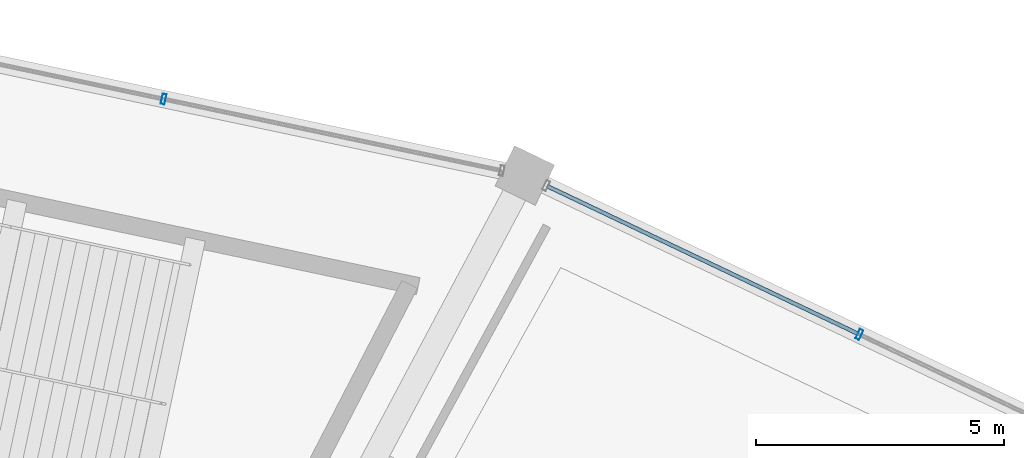
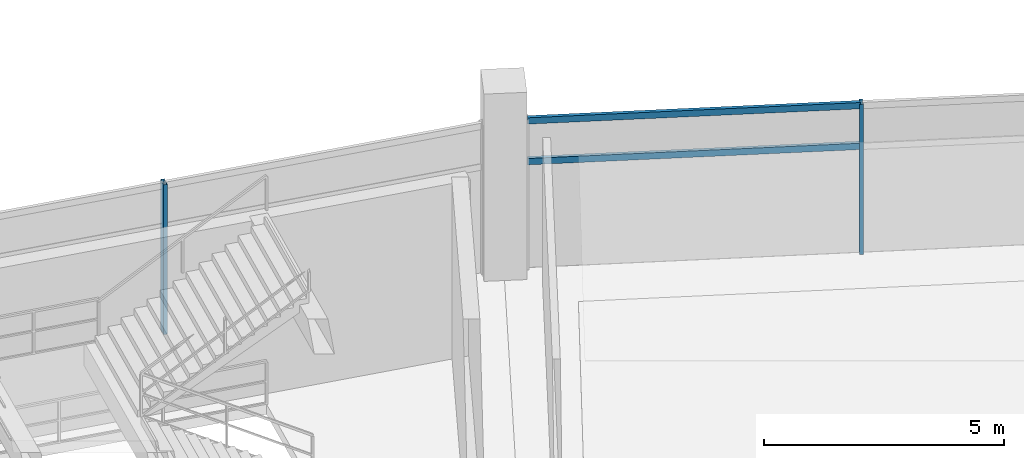
# One storey, part 119 of 171: 4 members, 2 elements without a shape of their own.
"""IFC4 building model written with IfcOpenShell, lengths in metres."""

from ifc_helpers import new_model, si_unit, direction, frame, origin, origin_2d, place, context, subcontext, project, spatial, hollow_rectangle, extrude, material, layer, layer_set, material_profile, profile_set, type_object, element, aggregate, save


model = new_model("IFC4")

# Units and contexts
model_context = context("Model", 3, precision=1e-05, world=origin(), true_north=direction((0.0, 1.0)))
body_context = subcontext(model_context, "Body", "Model", "MODEL_VIEW")
ifc_project = project(units=[si_unit("LENGTHUNIT", "METRE"), si_unit("AREAUNIT", "SQUARE_METRE"), si_unit("VOLUMEUNIT", "CUBIC_METRE"), si_unit("PLANEANGLEUNIT", "RADIAN"), si_unit("MASSUNIT", "GRAM", prefix="KILO")], contexts=[model_context])

# Site, building, storey
site_placement = place(None, origin())
site = spatial("IfcSite", under=ifc_project, at=site_placement, CompositionType="ELEMENT")
building_placement = place(site_placement, origin())
building = spatial("IfcBuilding", under=site, at=building_placement, Name="Kazemori Nagisa Stadium", CompositionType="ELEMENT")
storey_placement = place(building_placement, frame((0.0, 0.0, 15.639892578125)))
storey = spatial("IfcBuildingStorey", under=building, at=storey_placement, Name="L03", CompositionType="ELEMENT", Elevation=15.639892578125)

# Curtain wall, member
ifc_material_1 = material(Name="Anodised aluminium 6063-T5", Category="aluminium")
ifc_layer = layer(ifc_material_1, 0.2099609375, Name="Anodised aluminium 6063-T5", Category="aluminium")
ifc_layer_set = layer_set([ifc_layer], Name="Anodised aluminium 6063-T5")
curtain_wall_type = type_object("IfcCurtainWallType", Name="CW_L03R3_105", PredefinedType="USERDEFINED", material=ifc_layer_set)
curtain_wall_1_placement = place(storey_placement, origin())
curtain_wall_1 = element("IfcCurtainWall", 1, at=curtain_wall_1_placement, inside=storey, type_object=curtain_wall_type, Name="Unitised curtain wall CW-L03R3-105 L03", ObjectType="UNITISED CURTAIN WALL", PredefinedType="USERDEFINED")
ifc_material_2 = material(Name="Aluminium 6063-T5 anodised", Category="aluminium")
ifc_material_profile_1 = material_profile(ifc_material_2, hollow_rectangle(XDim=0.080078125, YDim=0.2099609375, WallThickness=0.0048828125, at=origin_2d()), Name="ALU-MULL-80x210x5")
ifc_profile_set_1 = profile_set([ifc_material_profile_1], Name="Aluminium 6063-T5 anodised")
member_type_1 = type_object("IfcMemberType", Name="Mullion_M02", PredefinedType="MULLION", material=ifc_profile_set_1)
member_1_placement = place(storey_placement, frame((172.54541015625, 179.26123046875, 0.0), z_axis=(0.0, 0.0, 1.0), x_axis=(-0.903215892654, 0.429186499388, 0.0)))
member_1 = element("IfcMember", 2, at=member_1_placement, type_object=member_type_1, Name="Curtain wall mullion CW-L03R3-105-M3", PredefinedType="MULLION", context=body_context, shape_type="SweptSolid", body=[
    extrude(hollow_rectangle(XDim=0.080078125, YDim=0.2099609375, WallThickness=0.0048828125, at=origin_2d()), origin(), (0.0, 0.0, 1.0), 3.81005859375),
])

curtain_wall_2_placement = place(storey_placement, origin())
curtain_wall_2 = element("IfcCurtainWall", 3, at=curtain_wall_2_placement, inside=storey, type_object=curtain_wall_type, Name="Unitised curtain wall CW-L03R3-105 L03", ObjectType="UNITISED CURTAIN WALL", PredefinedType="USERDEFINED")
member_2_placement = place(storey_placement, frame((158.524169921875, 184.004638671875, 0.0), z_axis=(0.0, 0.0, 1.0), x_axis=(-0.978344955407, 0.206981033502, 0.0)))
member_2 = element("IfcMember", 4, at=member_2_placement, type_object=member_type_1, Name="Curtain wall mullion CW-L03R3-105-M2", PredefinedType="MULLION", context=body_context, shape_type="SweptSolid", body=[
    extrude(hollow_rectangle(XDim=0.080078125, YDim=0.2099609375, WallThickness=0.0048828125, at=origin_2d()), origin(), (0.0, 0.0, 1.0), 3.81005859375),
])
aggregate(curtain_wall_2, [member_2])

# Member
ifc_material_profile_2 = material_profile(ifc_material_2, hollow_rectangle(XDim=0.080078125, YDim=0.159912109375, WallThickness=0.00390625, at=origin_2d()), Name="ALU-TRAN-80x160x4")
ifc_profile_set_2 = profile_set([ifc_material_profile_2], Name="Aluminium 6063-T5 anodised")
member_type_2 = type_object("IfcMemberType", Name="Transom_T02", PredefinedType="USERDEFINED", material=ifc_profile_set_2)
member_3_placement = place(storey_placement, frame((172.52734375, 179.269775390625, 2.705322265625), z_axis=(-0.903221322461, 0.429175072264, 0.0), x_axis=(-0.429175072264, -0.903221322461, 0.0)))
member_3 = element("IfcMember", 5, at=member_3_placement, type_object=member_type_2, Name="Curtain wall transom CW-L03R3-105-T3-mid", ObjectType="TRANSOM", PredefinedType="USERDEFINED", context=body_context, shape_type="SweptSolid", body=[
    extrude(hollow_rectangle(XDim=0.080078125, YDim=0.159912109375, WallThickness=0.00390625, at=origin_2d()), origin(), (0.0, 0.0, 1.0), 6.947998046875),
])

member_4_placement = place(storey_placement, frame((172.52734375, 179.269775390625, 3.739990234375), z_axis=(-0.903221322461, 0.429175072264, 0.0), x_axis=(-0.429175072264, -0.903221322461, 0.0)))
member_4 = element("IfcMember", 6, at=member_4_placement, type_object=member_type_2, Name="Curtain wall transom CW-L03R3-105-T3-head", ObjectType="TRANSOM", PredefinedType="USERDEFINED", context=body_context, shape_type="SweptSolid", body=[
    extrude(hollow_rectangle(XDim=0.080078125, YDim=0.159912109375, WallThickness=0.00390625, at=origin_2d()), origin(), (0.0, 0.0, 1.0), 6.947998046875),
])

aggregate(curtain_wall_1, [member_1, member_3, member_4])

save(model, "model.ifc")
